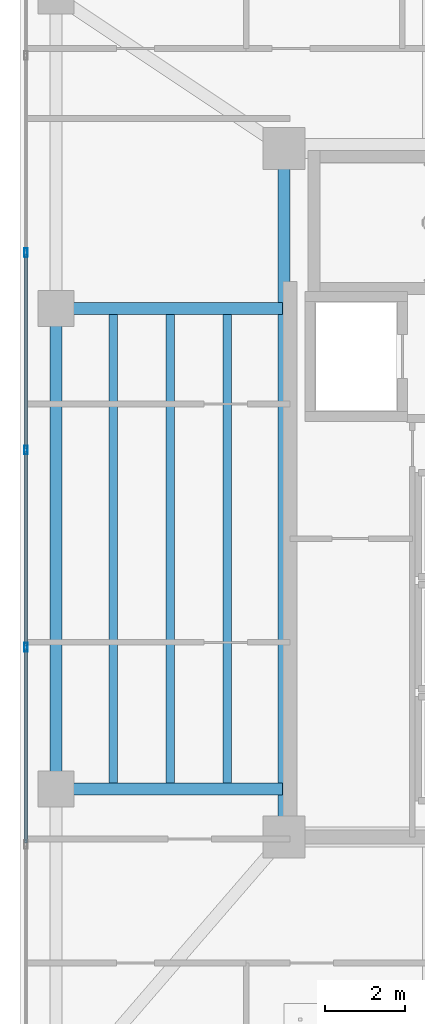
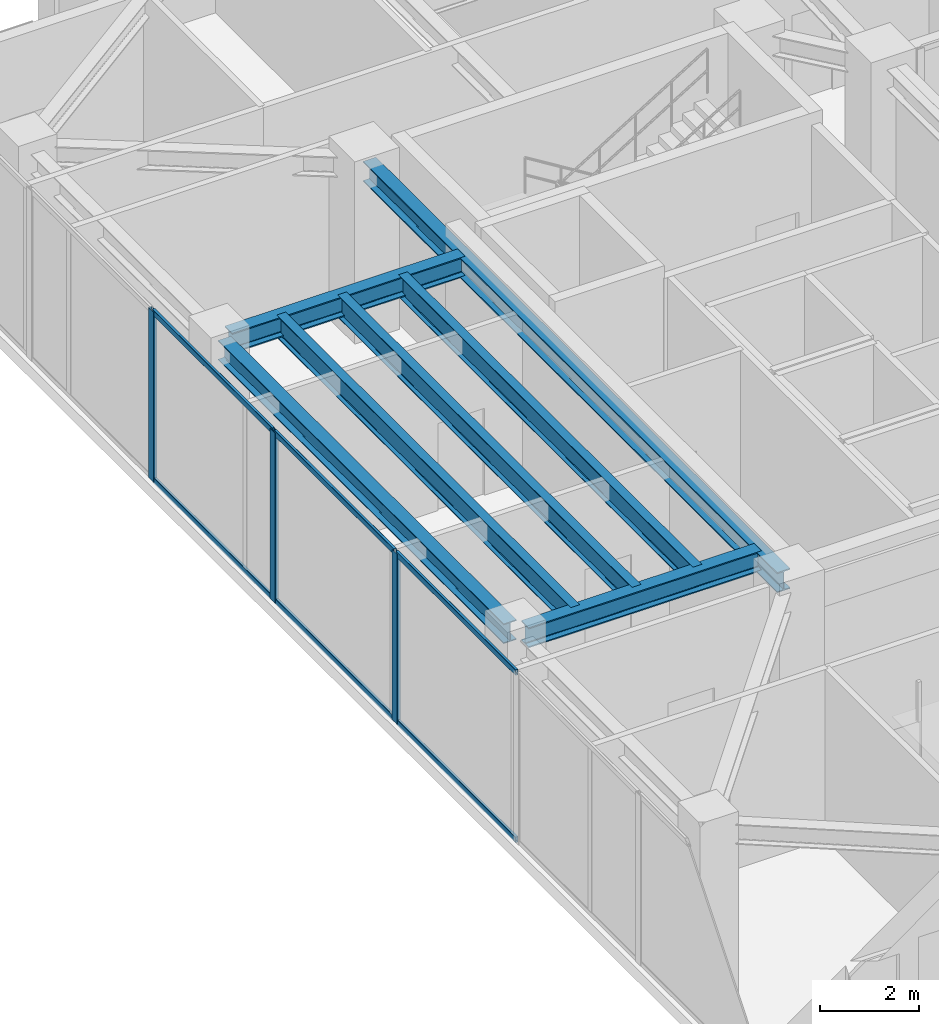
# One storey, part 8 of 33: 9 members, 7 beams, 1 element without a shape of its own.
"""IFC4 building model written with IfcOpenShell, lengths in metres."""

from ifc_helpers import new_model, si_unit, direction, frame, origin, origin_2d, place, context, subcontext, project, spatial, hollow_rectangle, i_section, extrude, material, layer, layer_set, material_profile, profile_set, type_object, element, aggregate, save


model = new_model("IFC4")

# Units and contexts
model_context = context("Model", 3, precision=1e-05, world=origin(), true_north=direction((0.0, 1.0)))
body_context = subcontext(model_context, "Body", "Model", "MODEL_VIEW")
ifc_project = project(units=[si_unit("LENGTHUNIT", "METRE"), si_unit("AREAUNIT", "SQUARE_METRE"), si_unit("VOLUMEUNIT", "CUBIC_METRE"), si_unit("PLANEANGLEUNIT", "RADIAN"), si_unit("MASSUNIT", "GRAM", prefix="KILO")], contexts=[model_context])

# Site, building, storey
site_placement = place(None, origin())
site = spatial("IfcSite", under=ifc_project, at=site_placement, CompositionType="ELEMENT")
building_placement = place(site_placement, origin())
building = spatial("IfcBuilding", under=site, at=building_placement, Name="Tarnavaz Court Tower", CompositionType="ELEMENT")
storey_placement = place(building_placement, frame((0.0, 0.0, 172.800048828125)))
storey = spatial("IfcBuildingStorey", under=building, at=storey_placement, Name="L47", CompositionType="ELEMENT", Elevation=172.800048828125)

# Beams
ifc_material_1 = material(Name="Steel S355", Category="steel")
ifc_material_profile_1 = material_profile(ifc_material_1, i_section(OverallWidth=0.300048828125, OverallDepth=0.5, WebThickness=0.014404296875, FlangeThickness=0.028076171875, FilletRadius=0.027099609375, at=origin_2d()), Name="HEB 500")
ifc_profile_set_1 = profile_set([ifc_material_profile_1], Name="Steel S355")
beam_type_1 = type_object("IfcBeamType", Name="BM-G-HEB500", PredefinedType="USERDEFINED", material=ifc_profile_set_1)
beam_1_placement = place(storey_placement, frame((-18.60009765625, -6.97998046875, 3.949951171875), z_axis=(0.0, 1.0, 0.0), x_axis=(-1.0, 0.0, 0.0)))
element("IfcBeam", 1, at=beam_1_placement, inside=storey, type_object=beam_type_1, Name="L47 Beam IN-CW-SO-CW-NO", ObjectType="GIRDER", PredefinedType="USERDEFINED", context=body_context, shape_type="SweptSolid", body=[
    extrude(i_section(OverallWidth=0.300048828125, OverallDepth=0.5, WebThickness=0.014404296875, FlangeThickness=0.028076171875, FilletRadius=0.027099609375, at=origin_2d()), origin(), (0.0, 0.0, 1.0), 16.760009765625),
])
for number, where, z_axis, x_axis, name in (
    (2, (-18.639892578125, -6.0, 3.949951171875), (-1.0, 0.0, 0.0), (0.0, -1.0, 0.0), "L47 Beam RG-13"),
    (3, (-18.639892578125, 6.0, 3.949951171875), (-1.0, 0.0, 0.0), (0.0, -1.0, 0.0), "L47 Beam RG-14"),
):
    element("IfcBeam", number, at=place(storey_placement, frame(where, z_axis=z_axis, x_axis=x_axis)), inside=storey, type_object=beam_type_1, Name=name, ObjectType="GIRDER", PredefinedType="USERDEFINED", context=body_context, shape_type="SweptSolid", body=[
        extrude(i_section(OverallWidth=0.300048828125, OverallDepth=0.5, WebThickness=0.014404296875, FlangeThickness=0.028076171875, FilletRadius=0.027099609375, at=origin_2d()), origin(), (0.0, 0.0, 1.0), 5.440185546875),
    ])
ifc_material_profile_2 = material_profile(ifc_material_1, i_section(OverallWidth=0.2099609375, OverallDepth=0.550048828125, WebThickness=0.010986328125, FlangeThickness=0.01708984375, FilletRadius=0.02392578125, at=origin_2d()), Name="IPE 550")
ifc_profile_set_2 = profile_set([ifc_material_profile_2], Name="Steel S355")
beam_type_2 = type_object("IfcBeamType", Name="BM-J-IPE550", PredefinedType="JOIST", material=ifc_profile_set_2)
for number, where, z_axis, x_axis, name in (
    (4, (-20.02490234375, -5.9599609375, 3.925048828125), (0.0, 1.0, 0.0), (-1.0, 0.0, 0.0), "L47 Beam JW1"),
    (5, (-21.449951171875, -5.9599609375, 3.925048828125), (0.0, 1.0, 0.0), (-1.0, 0.0, 0.0), "L47 Beam JW2"),
    (6, (-22.875, -5.9599609375, 3.925048828125), (0.0, 1.0, 0.0), (-1.0, 0.0, 0.0), "L47 Beam JW3"),
):
    element("IfcBeam", number, at=place(storey_placement, frame(where, z_axis=z_axis, x_axis=x_axis)), inside=storey, type_object=beam_type_2, Name=name, PredefinedType="JOIST", context=body_context, shape_type="SweptSolid", body=[
        extrude(i_section(OverallWidth=0.2099609375, OverallDepth=0.550048828125, WebThickness=0.010986328125, FlangeThickness=0.01708984375, FilletRadius=0.02392578125, at=origin_2d()), origin(), (0.0, 0.0, 1.0), 11.919921875),
    ])
ifc_material_profile_3 = material_profile(ifc_material_1, i_section(OverallWidth=0.300048828125, OverallDepth=0.489990234375, WebThickness=0.011962890625, FlangeThickness=0.02294921875, FilletRadius=0.027099609375, at=origin_2d()), Name="HEA 500")
ifc_profile_set_3 = profile_set([ifc_material_profile_3], Name="Steel S355")
beam_type_3 = type_object("IfcBeamType", Name="BM-SP-HEA500", PredefinedType="SPANDREL", material=ifc_profile_set_3)
beam_2_placement = place(storey_placement, frame((-24.300048828125, -5.780029296875, 3.954833984375), z_axis=(0.0, 1.0, 0.0), x_axis=(-1.0, 0.0, 0.0)))
element("IfcBeam", 7, at=beam_2_placement, inside=storey, type_object=beam_type_3, Name="L47 Beam PR-PW-2-PW-3", PredefinedType="SPANDREL", context=body_context, shape_type="SweptSolid", body=[
    extrude(i_section(OverallWidth=0.300048828125, OverallDepth=0.489990234375, WebThickness=0.011962890625, FlangeThickness=0.02294921875, FilletRadius=0.027099609375, at=origin_2d()), origin(), (0.0, 0.0, 1.0), 11.56005859375),
])

# Curtain wall, members
ifc_material_2 = material(Name="Anodised Aluminium 6063-T6 and Solar Low-E Glazing", Category="aluminium")
ifc_layer = layer(ifc_material_2, 0.199951171875)
ifc_layer_set = layer_set([ifc_layer], Name="Anodised Aluminium 6063-T6 and Solar Low-E Glazing")
curtain_wall_type = type_object("IfcCurtainWallType", Name="CW-SYS-05", PredefinedType="NOTDEFINED", material=ifc_layer_set)
curtain_wall_placement = place(storey_placement, origin())
curtain_wall = element("IfcCurtainWall", 8, at=curtain_wall_placement, inside=storey, type_object=curtain_wall_type, Name="L47 Sky-Portal Curtain Wall 2", PredefinedType="NOTDEFINED")
ifc_material_3 = material(Name="Anodised Aluminium 6063-T6", Category="aluminium")
ifc_material_profile_4 = material_profile(ifc_material_3, hollow_rectangle(XDim=0.0849609375, YDim=0.219970703125, WallThickness=0.006103515625, InnerFilletRadius=0.006103515625, OuterFilletRadius=0.011962890625, at=origin_2d()), Name="ALU RHS 220X85X6")
ifc_profile_set_4 = profile_set([ifc_material_profile_4], Name="Anodised Aluminium 6063-T6")
member_type_1 = type_object("IfcMemberType", Name="CW-MUL-220", PredefinedType="MULLION", material=ifc_profile_set_4)
member_1_placement = place(storey_placement, frame((-25.050048828125, -2.46435546875, 0.0), z_axis=(0.0, 0.0, 1.0), x_axis=(-1.0, 0.0, 0.0)))
member_1 = element("IfcMember", 9, at=member_1_placement, type_object=member_type_1, Name="CW mullion 4", PredefinedType="MULLION", context=body_context, shape_type="SweptSolid", body=[
    extrude(hollow_rectangle(XDim=0.0849609375, YDim=0.219970703125, WallThickness=0.006103515625, InnerFilletRadius=0.006103515625, OuterFilletRadius=0.011962890625, at=origin_2d()), origin(), (0.0, 0.0, 1.0), 4.199951171875),
])
member_2_placement = place(storey_placement, frame((-25.050048828125, 2.46435546875, 0.0), z_axis=(0.0, 0.0, 1.0), x_axis=(-1.0, 0.0, 0.0)))
member_2 = element("IfcMember", 10, at=member_2_placement, type_object=member_type_1, Name="CW mullion 5", PredefinedType="MULLION", context=body_context, shape_type="SweptSolid", body=[
    extrude(hollow_rectangle(XDim=0.0849609375, YDim=0.219970703125, WallThickness=0.006103515625, InnerFilletRadius=0.006103515625, OuterFilletRadius=0.011962890625, at=origin_2d()), origin(), (0.0, 0.0, 1.0), 4.199951171875),
])
member_3_placement = place(storey_placement, frame((-25.050048828125, 7.392822265625, 0.0), z_axis=(0.0, 0.0, 1.0), x_axis=(-1.0, 0.0, 0.0)))
member_3 = element("IfcMember", 11, at=member_3_placement, type_object=member_type_1, Name="CW mullion 6", PredefinedType="MULLION", context=body_context, shape_type="SweptSolid", body=[
    extrude(hollow_rectangle(XDim=0.0849609375, YDim=0.219970703125, WallThickness=0.006103515625, InnerFilletRadius=0.006103515625, OuterFilletRadius=0.011962890625, at=origin_2d()), origin(), (0.0, 0.0, 1.0), 4.199951171875),
])
ifc_material_profile_5 = material_profile(ifc_material_3, hollow_rectangle(XDim=0.06494140625, YDim=0.139892578125, WallThickness=0.00390625, InnerFilletRadius=0.00390625, OuterFilletRadius=0.008056640625, at=origin_2d()), Name="ALU RHS 140X65X4")
ifc_profile_set_5 = profile_set([ifc_material_profile_5], Name="Anodised Aluminium 6063-T6")
member_type_2 = type_object("IfcMemberType", Name="CW-TRN-140", PredefinedType="USERDEFINED", material=ifc_profile_set_5)
member_4_placement = place(storey_placement, frame((-25.050048828125, -7.350341796875, 0.032470703125), z_axis=(0.0, 1.0, 0.0), x_axis=(-1.0, 0.0, 0.0)))
member_4 = element("IfcMember", 12, at=member_4_placement, type_object=member_type_2, Name="CW transom 3.1", ObjectType="TRANSOM", PredefinedType="USERDEFINED", context=body_context, shape_type="SweptSolid", body=[
    extrude(hollow_rectangle(XDim=0.06494140625, YDim=0.139892578125, WallThickness=0.00390625, InnerFilletRadius=0.00390625, OuterFilletRadius=0.008056640625, at=origin_2d()), origin(), (0.0, 0.0, 1.0), 4.843505859375),
])
member_5_placement = place(storey_placement, frame((-25.050048828125, -7.350341796875, 4.16748046875), z_axis=(0.0, 1.0, 0.0), x_axis=(-1.0, 0.0, 0.0)))
member_5 = element("IfcMember", 13, at=member_5_placement, type_object=member_type_2, Name="CW transom 3.2", ObjectType="TRANSOM", PredefinedType="USERDEFINED", context=body_context, shape_type="SweptSolid", body=[
    extrude(hollow_rectangle(XDim=0.06494140625, YDim=0.139892578125, WallThickness=0.00390625, InnerFilletRadius=0.00390625, OuterFilletRadius=0.008056640625, at=origin_2d()), origin(), (0.0, 0.0, 1.0), 4.843505859375),
])
member_6_placement = place(storey_placement, frame((-25.050048828125, -2.421875, 0.032470703125), z_axis=(0.0, 1.0, 0.0), x_axis=(-1.0, 0.0, 0.0)))
member_6 = element("IfcMember", 14, at=member_6_placement, type_object=member_type_2, Name="CW transom 4.1", ObjectType="TRANSOM", PredefinedType="USERDEFINED", context=body_context, shape_type="SweptSolid", body=[
    extrude(hollow_rectangle(XDim=0.06494140625, YDim=0.139892578125, WallThickness=0.00390625, InnerFilletRadius=0.00390625, OuterFilletRadius=0.008056640625, at=origin_2d()), origin(), (0.0, 0.0, 1.0), 4.84375),
])
member_7_placement = place(storey_placement, frame((-25.050048828125, -2.421875, 4.16748046875), z_axis=(0.0, 1.0, 0.0), x_axis=(-1.0, 0.0, 0.0)))
member_7 = element("IfcMember", 15, at=member_7_placement, type_object=member_type_2, Name="CW transom 4.2", ObjectType="TRANSOM", PredefinedType="USERDEFINED", context=body_context, shape_type="SweptSolid", body=[
    extrude(hollow_rectangle(XDim=0.06494140625, YDim=0.139892578125, WallThickness=0.00390625, InnerFilletRadius=0.00390625, OuterFilletRadius=0.008056640625, at=origin_2d()), origin(), (0.0, 0.0, 1.0), 4.84375),
])
member_8_placement = place(storey_placement, frame((-25.050048828125, 2.5068359375, 0.032470703125), z_axis=(0.0, 1.0, 0.0), x_axis=(-1.0, 0.0, 0.0)))
member_8 = element("IfcMember", 16, at=member_8_placement, type_object=member_type_2, Name="CW transom 5.1", ObjectType="TRANSOM", PredefinedType="USERDEFINED", context=body_context, shape_type="SweptSolid", body=[
    extrude(hollow_rectangle(XDim=0.06494140625, YDim=0.139892578125, WallThickness=0.00390625, InnerFilletRadius=0.00390625, OuterFilletRadius=0.008056640625, at=origin_2d()), origin(), (0.0, 0.0, 1.0), 4.843505859375),
])
member_9_placement = place(storey_placement, frame((-25.050048828125, 2.5068359375, 4.16748046875), z_axis=(0.0, 1.0, 0.0), x_axis=(-1.0, 0.0, 0.0)))
member_9 = element("IfcMember", 17, at=member_9_placement, type_object=member_type_2, Name="CW transom 5.2", ObjectType="TRANSOM", PredefinedType="USERDEFINED", context=body_context, shape_type="SweptSolid", body=[
    extrude(hollow_rectangle(XDim=0.06494140625, YDim=0.139892578125, WallThickness=0.00390625, InnerFilletRadius=0.00390625, OuterFilletRadius=0.008056640625, at=origin_2d()), origin(), (0.0, 0.0, 1.0), 4.843505859375),
])
aggregate(curtain_wall, [member_1, member_2, member_3, member_4, member_5, member_6, member_7, member_8, member_9])

save(model, "model.ifc")
